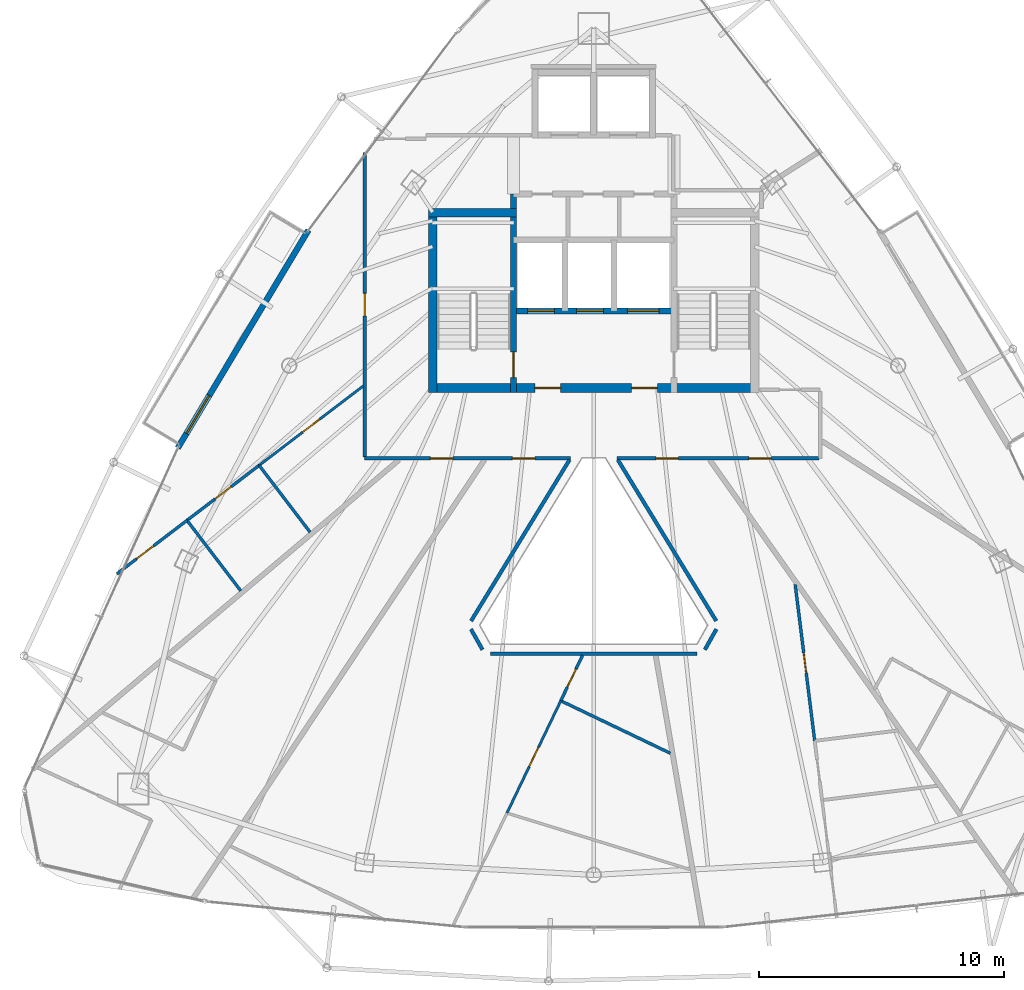
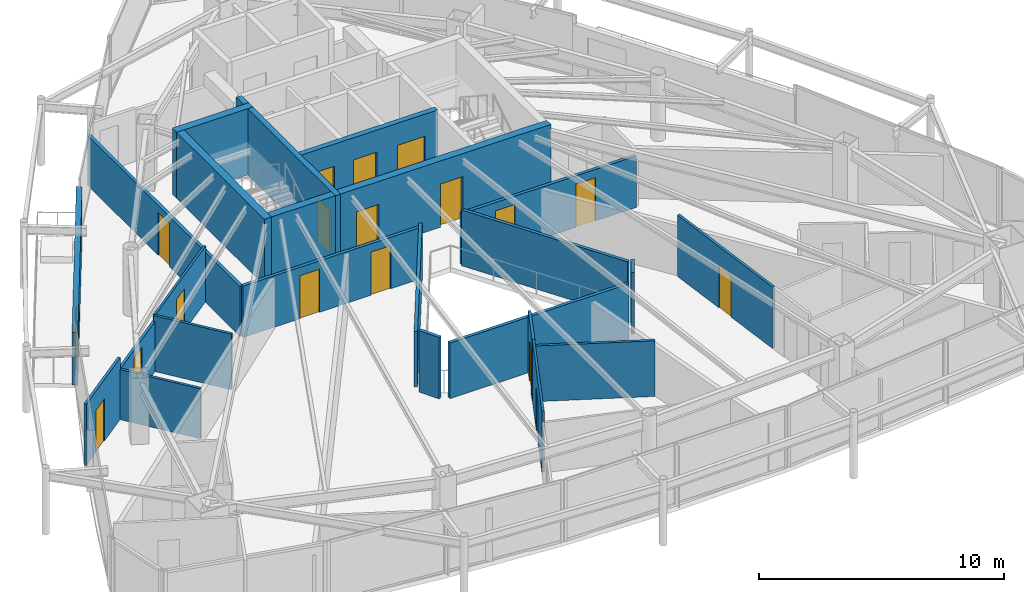
# One storey, part 28 of 33: 23 walls, 18 doors, 18 openings.
"""IFC4 building model written with IfcOpenShell, lengths in metres."""

from ifc_helpers import new_model, si_unit, direction, frame, frame_2d, origin, place, context, subcontext, project, spatial, rectangle, extrude, material, layer, layer_set, type_object, element, fill, save


model = new_model("IFC4")

# Units and contexts
model_context = context("Model", 3, precision=1e-05, world=origin(), true_north=direction((0.0, 1.0)))
body_context = subcontext(model_context, "Body", "Model", "MODEL_VIEW")
ifc_project = project(units=[si_unit("LENGTHUNIT", "METRE"), si_unit("AREAUNIT", "SQUARE_METRE"), si_unit("VOLUMEUNIT", "CUBIC_METRE"), si_unit("PLANEANGLEUNIT", "RADIAN"), si_unit("MASSUNIT", "GRAM", prefix="KILO")], contexts=[model_context])

# Site, building, storey
site_placement = place(None, origin())
site = spatial("IfcSite", under=ifc_project, at=site_placement, CompositionType="ELEMENT")
building_placement = place(site_placement, origin())
building = spatial("IfcBuilding", under=site, at=building_placement, Name="Orvanel Arch Residences", CompositionType="ELEMENT")
storey_placement = place(building_placement, frame((0.0, 0.0, 209.60009765625)))
storey = spatial("IfcBuildingStorey", under=building, at=storey_placement, Name="L59", CompositionType="ELEMENT", Elevation=209.60009765625)

# Wall, opening, door
ifc_material_1 = material(Name="Precast concrete N50 (50 MPa)", Category="concrete")
ifc_layer_1 = layer(ifc_material_1, 0.239990234375)
ifc_layer_set_1 = layer_set([ifc_layer_1], Name="Precast concrete N50 (50 MPa)")
wall_type_1 = type_object("IfcWallType", Name="EW-BAL-240", PredefinedType="SOLIDWALL", material=ifc_layer_set_1)
wall_1_placement = place(storey_placement, frame((21.35302734375, 33.1689453125, 0.0), z_axis=(0.0, 0.0, 1.0), x_axis=(-0.514391899557, -0.857555230682, 0.0)))
wall_1 = element("IfcWall", 1, at=wall_1_placement, inside=storey, type_object=wall_type_1, Name="L59 Balcony Threshold Wall Face 1", PredefinedType="SOLIDWALL", context=body_context, shape_type="SweptSolid", body=[
    extrude(rectangle(XDim=10.371337890625, YDim=0.239990234375, at=frame_2d((5.185546875, 0.0))), origin(), (0.0, 0.0, 1.0), 2.6240234375),
])
opening_1_placement = place(wall_1_placement, frame((7.8740234375, 0.0, 0.0)))
opening_1 = element("IfcOpeningElement", 2, at=opening_1_placement, cuts=wall_1, Name="Opening DB-180", PredefinedType="OPENING", context=body_context, shape_type="SweptSolid", body=[
    extrude(rectangle(XDim=1.800048828125, YDim=2.199951171875, at=frame_2d((0.89990234375, 1.10009765625))), frame((0.0, 0.1298828125, 0.0), z_axis=(0.0, -1.0, 0.0), x_axis=(1.0, 0.0, 0.0)), (0.0, 0.0, 1.0), 0.260009765625),
])
ifc_material_2 = material(Name="Bronze-anodised aluminium AA6063-T6", Category="aluminium")
door_type_1 = type_object("IfcDoorType", Name="DR-BAL-1800", OperationType="NOTDEFINED", PredefinedType="DOOR", material=ifc_material_2)
door_1_placement = place(opening_1_placement, origin())
door_1 = element("IfcDoor", 3, at=door_1_placement, inside=storey, type_object=door_type_1, Name="DR-L59-BAL-F1 L59 Planted Balcony Access Door Face 1", OperationType="SINGLE_SWING_RIGHT", OverallHeight=2.199951171875, OverallWidth=1.800048828125, PredefinedType="DOOR", context=body_context, shape_type="SweptSolid", body=[
    extrude(rectangle(XDim=1.800048828125, YDim=2.199951171875, at=frame_2d((0.89990234375, 1.10009765625))), frame((0.0, 0.02490234375, 0.0), z_axis=(0.0, -1.0, 0.0), x_axis=(1.0, 0.0, 0.0)), (0.0, 0.0, 1.0), 0.050048828125),
])
fill(opening_1, door_1)

ifc_material_3 = material(Name="Concrete N50 (50 MPa)", Category="concrete")
ifc_layer_2 = layer(ifc_material_3, 0.25)
ifc_layer_set_2 = layer_set([ifc_layer_2], Name="Concrete N50 (50 MPa)")
wall_type_2 = type_object("IfcWallType", Name="SW-CORE-250", PredefinedType="SHEAR", material=ifc_layer_set_2)
wall_2_placement = place(storey_placement, frame((29.72509765625, 26.550048828125, 0.0), z_axis=(0.0, 0.0, 1.0), x_axis=(0.0, 1.0, 0.0)))
wall_2 = element("IfcWall", 4, at=wall_2_placement, inside=storey, type_object=wall_type_2, Name="L59 West Inner Core Spine Shear Wall", PredefinedType="SHEAR", context=body_context, shape_type="SweptSolid", body=[
    extrude(rectangle(XDim=8.099853515625, YDim=0.25, at=frame_2d((4.0498046875, 0.0))), origin(), (0.0, 0.0, 1.0), 3.2998046875),
])
opening_2_placement = place(wall_2_placement, frame((0.60009765625, 0.0, 0.0)))
opening_2 = element("IfcOpeningElement", 5, at=opening_2_placement, cuts=wall_2, Name="Opening DF-120", PredefinedType="OPENING", context=body_context, shape_type="SweptSolid", body=[
    extrude(rectangle(XDim=1.050048828125, YDim=2.14990234375, at=frame_2d((0.52490234375, 1.074951171875))), frame((0.0, 0.135009765625, 0.0), z_axis=(0.0, -1.0, 0.0), x_axis=(1.0, 0.0, 0.0)), (0.0, 0.0, 1.0), 0.27001953125),
])
ifc_material_4 = material(Name="Galvanised steel fire-resisting door assembly", Category="steel")
door_type_2 = type_object("IfcDoorType", Name="DR-FD120-1050", OperationType="NOTDEFINED", PredefinedType="DOOR", material=ifc_material_4)
door_2_placement = place(opening_2_placement, origin())
door_2 = element("IfcDoor", 6, at=door_2_placement, inside=storey, type_object=door_type_2, Name="DR-L59-ST1 L59 Stair 1 Fire Door", OperationType="SINGLE_SWING_LEFT", OverallHeight=2.14990234375, OverallWidth=1.050048828125, PredefinedType="DOOR", context=body_context, shape_type="SweptSolid", body=[
    extrude(rectangle(XDim=1.050048828125, YDim=2.14990234375, at=frame_2d((0.52490234375, 1.074951171875))), frame((0.0, 0.02490234375, 0.0), z_axis=(0.0, -1.0, 0.0), x_axis=(1.0, 0.0, 0.0)), (0.0, 0.0, 1.0), 0.050048828125),
])
fill(opening_2, door_2)

# Wall, openings, doors
wall_3_placement = place(storey_placement, frame((36.27490234375, 29.875, 0.0), z_axis=(0.0, 0.0, 1.0), x_axis=(-1.0, 0.0, 0.0)))
wall_3 = element("IfcWall", 7, at=wall_3_placement, inside=storey, type_object=wall_type_2, Name="L59 Emergency Lift Front Core Shear Wall", PredefinedType="SHEAR", context=body_context, shape_type="SweptSolid", body=[
    extrude(rectangle(XDim=6.5498046875, YDim=0.25, at=frame_2d((3.27490234375, 0.0))), origin(), (0.0, 0.0, 1.0), 3.2998046875),
])
opening_3_placement = place(wall_3_placement, frame((4.875, 0.0, 0.0)))
opening_3 = element("IfcOpeningElement", 8, at=opening_3_placement, cuts=wall_3, Name="Opening LD-110", PredefinedType="OPENING", context=body_context, shape_type="SweptSolid", body=[
    extrude(rectangle(XDim=1.10009765625, YDim=2.199951171875, at=frame_2d((0.550048828125, 1.10009765625))), frame((0.0, 0.135009765625, 0.0), z_axis=(0.0, -1.0, 0.0), x_axis=(1.0, 0.0, 0.0)), (0.0, 0.0, 1.0), 0.27001953125),
])
opening_4_placement = place(wall_3_placement, frame((2.875, 0.0, 0.0)))
opening_4 = element("IfcOpeningElement", 9, at=opening_4_placement, cuts=wall_3, Name="Opening LD-110", PredefinedType="OPENING", context=body_context, shape_type="SweptSolid", body=[
    extrude(rectangle(XDim=1.10009765625, YDim=2.199951171875, at=frame_2d((0.550048828125, 1.10009765625))), frame((0.0, 0.135009765625, 0.0), z_axis=(0.0, -1.0, 0.0), x_axis=(1.0, 0.0, 0.0)), (0.0, 0.0, 1.0), 0.27001953125),
])
opening_5_placement = place(wall_3_placement, frame((0.60009765625, 0.0, 0.0)))
opening_5 = element("IfcOpeningElement", 10, at=opening_5_placement, cuts=wall_3, Name="Opening LD-130", PredefinedType="OPENING", context=body_context, shape_type="SweptSolid", body=[
    extrude(rectangle(XDim=1.300048828125, YDim=2.199951171875, at=frame_2d((0.64990234375, 1.10009765625))), frame((0.0, 0.135009765625, 0.0), z_axis=(0.0, -1.0, 0.0), x_axis=(1.0, 0.0, 0.0)), (0.0, 0.0, 1.0), 0.27001953125),
])
door_type_3 = type_object("IfcDoorType", Name="DR-LFT-1100", OperationType="NOTDEFINED", PredefinedType="DOOR", material=ifc_material_4)
door_3_placement = place(opening_3_placement, origin())
door_3 = element("IfcDoor", 11, at=door_3_placement, inside=storey, type_object=door_type_3, Name="LD-F1-L59 L59 Lift F1 Sliding Landing Door", OperationType="DOUBLE_DOOR_SLIDING", OverallHeight=2.199951171875, OverallWidth=1.10009765625, PredefinedType="DOOR", context=body_context, shape_type="SweptSolid", body=[
    extrude(rectangle(XDim=1.10009765625, YDim=2.199951171875, at=frame_2d((0.550048828125, 1.10009765625))), frame((0.0, 0.02490234375, 0.0), z_axis=(0.0, -1.0, 0.0), x_axis=(1.0, 0.0, 0.0)), (0.0, 0.0, 1.0), 0.050048828125),
])
fill(opening_3, door_3)
door_4_placement = place(opening_4_placement, origin())
door_4 = element("IfcDoor", 12, at=door_4_placement, inside=storey, type_object=door_type_3, Name="LD-F2-L59 L59 Lift F2 Sliding Landing Door", OperationType="DOUBLE_DOOR_SLIDING", OverallHeight=2.199951171875, OverallWidth=1.10009765625, PredefinedType="DOOR", context=body_context, shape_type="SweptSolid", body=[
    extrude(rectangle(XDim=1.10009765625, YDim=2.199951171875, at=frame_2d((0.550048828125, 1.10009765625))), frame((0.0, 0.02490234375, 0.0), z_axis=(0.0, -1.0, 0.0), x_axis=(1.0, 0.0, 0.0)), (0.0, 0.0, 1.0), 0.050048828125),
])
fill(opening_4, door_4)
door_type_4 = type_object("IfcDoorType", Name="DR-LFT-1300", OperationType="NOTDEFINED", PredefinedType="DOOR", material=ifc_material_4)
door_5_placement = place(opening_5_placement, origin())
door_5 = element("IfcDoor", 13, at=door_5_placement, inside=storey, type_object=door_type_4, Name="LD-G1-L59 L59 Lift G1 Sliding Landing Door", OperationType="DOUBLE_DOOR_SLIDING", OverallHeight=2.199951171875, OverallWidth=1.300048828125, PredefinedType="DOOR", context=body_context, shape_type="SweptSolid", body=[
    extrude(rectangle(XDim=1.300048828125, YDim=2.199951171875, at=frame_2d((0.64990234375, 1.10009765625))), frame((0.0, 0.02490234375, 0.0), z_axis=(0.0, -1.0, 0.0), x_axis=(1.0, 0.0, 0.0)), (0.0, 0.0, 1.0), 0.050048828125),
])
fill(opening_5, door_5)

ifc_layer_3 = layer(ifc_material_3, 0.35009765625)
ifc_layer_set_3 = layer_set([ifc_layer_3], Name="Concrete N50 (50 MPa)")
wall_type_3 = type_object("IfcWallType", Name="SW-CORE-350", PredefinedType="SHEAR", material=ifc_layer_set_3)
wall_4_placement = place(storey_placement, frame((26.25, 26.72509765625, 0.0), z_axis=(0.0, 0.0, 1.0), x_axis=(1.0, 0.0, 0.0)))
wall_4 = element("IfcWall", 14, at=wall_4_placement, inside=storey, type_object=wall_type_3, Name="L59 South Core Shear Wall", PredefinedType="SHEAR", context=body_context, shape_type="SweptSolid", body=[
    extrude(rectangle(XDim=13.5, YDim=0.35009765625, at=frame_2d((6.75, 0.0))), origin(), (0.0, 0.0, 1.0), 3.2998046875),
])
opening_6_placement = place(wall_4_placement, frame((4.35009765625, 0.0, 0.0)))
opening_6 = element("IfcOpeningElement", 15, at=opening_6_placement, cuts=wall_4, Name="Opening DF-060", PredefinedType="OPENING", context=body_context, shape_type="SweptSolid", body=[
    extrude(rectangle(XDim=1.050048828125, YDim=2.14990234375, at=frame_2d((0.52490234375, 1.074951171875))), frame((0.0, 0.18505859375, 0.0), z_axis=(0.0, -1.0, 0.0), x_axis=(1.0, 0.0, 0.0)), (0.0, 0.0, 1.0), 0.3701171875),
])
opening_7_placement = place(wall_4_placement, frame((8.300048828125, 0.0, 0.0)))
opening_7 = element("IfcOpeningElement", 16, at=opening_7_placement, cuts=wall_4, Name="Opening DF-060", PredefinedType="OPENING", context=body_context, shape_type="SweptSolid", body=[
    extrude(rectangle(XDim=1.050048828125, YDim=2.14990234375, at=frame_2d((0.52490234375, 1.074951171875))), frame((0.0, 0.18505859375, 0.0), z_axis=(0.0, -1.0, 0.0), x_axis=(1.0, 0.0, 0.0)), (0.0, 0.0, 1.0), 0.3701171875),
])
door_type_5 = type_object("IfcDoorType", Name="DR-FD60-1050", OperationType="NOTDEFINED", PredefinedType="DOOR", material=ifc_material_4)
door_6_placement = place(opening_6_placement, origin())
door_6 = element("IfcDoor", 17, at=door_6_placement, inside=storey, type_object=door_type_5, Name="DR-L59-FFL-W L59 West Smoke Lobby Door", OperationType="SINGLE_SWING_LEFT", OverallHeight=2.14990234375, OverallWidth=1.050048828125, PredefinedType="DOOR", context=body_context, shape_type="SweptSolid", body=[
    extrude(rectangle(XDim=1.050048828125, YDim=2.14990234375, at=frame_2d((0.52490234375, 1.074951171875))), frame((0.0, 0.02490234375, 0.0), z_axis=(0.0, -1.0, 0.0), x_axis=(1.0, 0.0, 0.0)), (0.0, 0.0, 1.0), 0.050048828125),
])
fill(opening_6, door_6)
door_7_placement = place(opening_7_placement, origin())
door_7 = element("IfcDoor", 18, at=door_7_placement, inside=storey, type_object=door_type_5, Name="DR-L59-FFL-E L59 East Smoke Lobby Door", OperationType="SINGLE_SWING_RIGHT", OverallHeight=2.14990234375, OverallWidth=1.050048828125, PredefinedType="DOOR", context=body_context, shape_type="SweptSolid", body=[
    extrude(rectangle(XDim=1.050048828125, YDim=2.14990234375, at=frame_2d((0.52490234375, 1.074951171875))), frame((0.0, 0.02490234375, 0.0), z_axis=(0.0, -1.0, 0.0), x_axis=(1.0, 0.0, 0.0)), (0.0, 0.0, 1.0), 0.050048828125),
])
fill(opening_7, door_7)

# Walls
wall_5_placement = place(storey_placement, frame((26.425048828125, 26.550048828125, 0.0), z_axis=(0.0, 0.0, 1.0), x_axis=(0.0, 1.0, 0.0)))
element("IfcWall", 19, at=wall_5_placement, inside=storey, type_object=wall_type_3, Name="L59 West Stair Shear Wall", PredefinedType="SHEAR", context=body_context, shape_type="SweptSolid", body=[
    extrude(rectangle(XDim=7.5, YDim=0.35009765625, at=frame_2d((3.75, 0.0))), origin(), (0.0, 0.0, 1.0), 3.2998046875),
])
wall_6_placement = place(storey_placement, frame((26.25, 33.875, 0.0), z_axis=(0.0, 0.0, 1.0), x_axis=(1.0, 0.0, 0.0)))
element("IfcWall", 20, at=wall_6_placement, inside=storey, type_object=wall_type_3, Name="L59 West Stair North Shear Wall", PredefinedType="SHEAR", context=body_context, shape_type="SweptSolid", body=[
    extrude(rectangle(XDim=3.60009765625, YDim=0.35009765625, at=frame_2d((1.800048828125, 0.0))), origin(), (0.0, 0.0, 1.0), 3.2998046875),
])

# Wall, openings, doors
ifc_material_5 = material(Name="Fire-rated plasterboard lined steel stud partition", Category="steel")
ifc_layer_4 = layer(ifc_material_5, 0.14990234375)
ifc_layer_set_4 = layer_set([ifc_layer_4], Name="Fire-rated plasterboard lined steel stud partition")
wall_type_4 = type_object("IfcWallType", Name="W-COR-150", PredefinedType="PARTITIONING", material=ifc_layer_set_4)
wall_7_placement = place(storey_placement, frame((32.050048828125, 23.85009765625, 0.0), z_axis=(0.0, 0.0, 1.0), x_axis=(-1.0, 0.0, 0.0)))
wall_7 = element("IfcWall", 21, at=wall_7_placement, inside=storey, type_object=wall_type_4, Name="L59 Corridor Fire-Rated Partition", PredefinedType="PARTITIONING", context=body_context, shape_type="SweptSolid", body=[
    extrude(rectangle(XDim=8.400146484375, YDim=0.14990234375, at=frame_2d((4.2001953125, 0.0))), origin(), (0.0, 0.0, 1.0), 2.56494140625),
])
opening_8_placement = place(wall_7_placement, frame((1.446044921875, 0.0, 0.0)))
opening_8 = element("IfcOpeningElement", 22, at=opening_8_placement, cuts=wall_7, Name="Opening DA-092", PredefinedType="OPENING", context=body_context, shape_type="SweptSolid", body=[
    extrude(rectangle(XDim=0.919921875, YDim=2.14990234375, at=frame_2d((0.4599609375, 1.074951171875))), frame((0.0, 0.0849609375, 0.0), z_axis=(0.0, -1.0, 0.0), x_axis=(1.0, 0.0, 0.0)), (0.0, 0.0, 1.0), 0.169921875),
])
opening_9_placement = place(wall_7_placement, frame((4.798095703125, 0.0, 0.0)))
opening_9 = element("IfcOpeningElement", 23, at=opening_9_placement, cuts=wall_7, Name="Opening DA-092", PredefinedType="OPENING", context=body_context, shape_type="SweptSolid", body=[
    extrude(rectangle(XDim=0.919921875, YDim=2.14990234375, at=frame_2d((0.4599609375, 1.074951171875))), frame((0.0, 0.0849609375, 0.0), z_axis=(0.0, -1.0, 0.0), x_axis=(1.0, 0.0, 0.0)), (0.0, 0.0, 1.0), 0.169921875),
])
ifc_material_6 = material(Name="Solid-core European oak veneer fire door leaf", Category="wood")
door_type_6 = type_object("IfcDoorType", Name="DR-APT-920", OperationType="NOTDEFINED", PredefinedType="DOOR", material=ifc_material_6)
door_8_placement = place(opening_8_placement, origin())
door_8 = element("IfcDoor", 24, at=door_8_placement, inside=storey, type_object=door_type_6, Name="DR-L59-A-ENT L59 Flat A Entrance Door", OperationType="SINGLE_SWING_RIGHT", OverallHeight=2.14990234375, OverallWidth=0.919921875, PredefinedType="DOOR", context=body_context, shape_type="SweptSolid", body=[
    extrude(rectangle(XDim=0.919921875, YDim=2.14990234375, at=frame_2d((0.4599609375, 1.074951171875))), frame((0.0, 0.02490234375, 0.0), z_axis=(0.0, -1.0, 0.0), x_axis=(1.0, 0.0, 0.0)), (0.0, 0.0, 1.0), 0.050048828125),
])
fill(opening_8, door_8)
door_9_placement = place(opening_9_placement, origin())
door_9 = element("IfcDoor", 25, at=door_9_placement, inside=storey, type_object=door_type_6, Name="DR-L59-D-ENT L59 Studio D Entrance Door", OperationType="SINGLE_SWING_LEFT", OverallHeight=2.14990234375, OverallWidth=0.919921875, PredefinedType="DOOR", context=body_context, shape_type="SweptSolid", body=[
    extrude(rectangle(XDim=0.919921875, YDim=2.14990234375, at=frame_2d((0.4599609375, 1.074951171875))), frame((0.0, 0.02490234375, 0.0), z_axis=(0.0, -1.0, 0.0), x_axis=(1.0, 0.0, 0.0)), (0.0, 0.0, 1.0), 0.050048828125),
])
fill(opening_9, door_9)

# Wall, opening, door
wall_8_placement = place(storey_placement, frame((23.64990234375, 23.909912109375, 0.0), z_axis=(0.0, 0.0, 1.0), x_axis=(0.0, 1.0, 0.0)))
wall_8 = element("IfcWall", 26, at=wall_8_placement, inside=storey, type_object=wall_type_4, Name="L59 Corridor Fire-Rated Partition", PredefinedType="PARTITIONING", context=body_context, shape_type="SweptSolid", body=[
    extrude(rectangle(XDim=12.439208984375, YDim=0.14990234375, at=frame_2d((6.2197265625, 0.0))), origin(), (0.0, 0.0, 1.0), 2.491943359375),
])
opening_10_placement = place(wall_8_placement, frame((5.759033203125, 0.0, 0.0)))
opening_10 = element("IfcOpeningElement", 27, at=opening_10_placement, cuts=wall_8, Name="Opening DA-092", PredefinedType="OPENING", context=body_context, shape_type="SweptSolid", body=[
    extrude(rectangle(XDim=0.919921875, YDim=2.14990234375, at=frame_2d((0.4599609375, 1.074951171875))), frame((0.0, 0.0849609375, 0.0), z_axis=(0.0, -1.0, 0.0), x_axis=(1.0, 0.0, 0.0)), (0.0, 0.0, 1.0), 0.169921875),
])
door_10_placement = place(opening_10_placement, origin())
door_10 = element("IfcDoor", 28, at=door_10_placement, inside=storey, type_object=door_type_6, Name="DR-L59-E-ENT L59 Studio E Entrance Door", OperationType="SINGLE_SWING_RIGHT", OverallHeight=2.14990234375, OverallWidth=0.919921875, PredefinedType="DOOR", context=body_context, shape_type="SweptSolid", body=[
    extrude(rectangle(XDim=0.919921875, YDim=2.14990234375, at=frame_2d((0.4599609375, 1.074951171875))), frame((0.0, 0.02490234375, 0.0), z_axis=(0.0, -1.0, 0.0), x_axis=(1.0, 0.0, 0.0)), (0.0, 0.0, 1.0), 0.050048828125),
])
fill(opening_10, door_10)

# Wall, openings, doors
wall_9_placement = place(storey_placement, frame((42.18994140625, 23.85009765625, 0.0), z_axis=(0.0, 0.0, 1.0), x_axis=(-1.0, 0.0, 0.0)))
wall_9 = element("IfcWall", 29, at=wall_9_placement, inside=storey, type_object=wall_type_4, Name="L59 Corridor Fire-Rated Partition", PredefinedType="PARTITIONING", context=body_context, shape_type="SweptSolid", body=[
    extrude(rectangle(XDim=8.239990234375, YDim=0.14990234375, at=frame_2d((4.1201171875, 0.0))), origin(), (0.0, 0.0, 1.0), 2.56494140625),
])
opening_11_placement = place(wall_9_placement, frame((1.93701171875, 0.0, 0.0)))
opening_11 = element("IfcOpeningElement", 30, at=opening_11_placement, cuts=wall_9, Name="Opening DA-092", PredefinedType="OPENING", context=body_context, shape_type="SweptSolid", body=[
    extrude(rectangle(XDim=0.919921875, YDim=2.14990234375, at=frame_2d((0.4599609375, 1.074951171875))), frame((0.0, 0.0849609375, 0.0), z_axis=(0.0, -1.0, 0.0), x_axis=(1.0, 0.0, 0.0)), (0.0, 0.0, 1.0), 0.169921875),
])
opening_12_placement = place(wall_9_placement, frame((5.73291015625, 0.0, 0.0)))
opening_12 = element("IfcOpeningElement", 31, at=opening_12_placement, cuts=wall_9, Name="Opening DA-092", PredefinedType="OPENING", context=body_context, shape_type="SweptSolid", body=[
    extrude(rectangle(XDim=0.919921875, YDim=2.14990234375, at=frame_2d((0.4599609375, 1.074951171875))), frame((0.0, 0.0849609375, 0.0), z_axis=(0.0, -1.0, 0.0), x_axis=(1.0, 0.0, 0.0)), (0.0, 0.0, 1.0), 0.169921875),
])
door_11_placement = place(opening_11_placement, origin())
door_11 = element("IfcDoor", 32, at=door_11_placement, inside=storey, type_object=door_type_6, Name="DR-L59-B-ENT L59 Studio B Entrance Door", OperationType="SINGLE_SWING_LEFT", OverallHeight=2.14990234375, OverallWidth=0.919921875, PredefinedType="DOOR", context=body_context, shape_type="SweptSolid", body=[
    extrude(rectangle(XDim=0.919921875, YDim=2.14990234375, at=frame_2d((0.4599609375, 1.074951171875))), frame((0.0, 0.02490234375, 0.0), z_axis=(0.0, -1.0, 0.0), x_axis=(1.0, 0.0, 0.0)), (0.0, 0.0, 1.0), 0.050048828125),
])
fill(opening_11, door_11)
door_12_placement = place(opening_12_placement, origin())
door_12 = element("IfcDoor", 33, at=door_12_placement, inside=storey, type_object=door_type_6, Name="DR-L59-C-ENT L59 Flat C Entrance Door", OperationType="SINGLE_SWING_RIGHT", OverallHeight=2.14990234375, OverallWidth=0.919921875, PredefinedType="DOOR", context=body_context, shape_type="SweptSolid", body=[
    extrude(rectangle(XDim=0.919921875, YDim=2.14990234375, at=frame_2d((0.4599609375, 1.074951171875))), frame((0.0, 0.02490234375, 0.0), z_axis=(0.0, -1.0, 0.0), x_axis=(1.0, 0.0, 0.0)), (0.0, 0.0, 1.0), 0.050048828125),
])
fill(opening_12, door_12)

# Walls
wall_10_placement = place(storey_placement, frame((33.987060546875, 23.7900390625, 0.0), z_axis=(0.0, 0.0, 1.0), x_axis=(0.521338496894, -0.853349970209, 0.0)))
element("IfcWall", 34, at=wall_10_placement, inside=storey, type_object=wall_type_4, Name="L59 Atrium Overlook Glazed Partition", PredefinedType="PARTITIONING", context=body_context, shape_type="SweptSolid", body=[
    extrude(rectangle(XDim=7.704833984375, YDim=0.14990234375, at=frame_2d((3.8525390625, 0.0))), origin(), (0.0, 0.0, 1.0), 2.77294921875),
])
wall_11_placement = place(storey_placement, frame((38.010009765625, 16.87890625, 0.0), z_axis=(0.0, 0.0, 1.0), x_axis=(-0.488859069364, -0.872362774481, 0.0)))
element("IfcWall", 35, at=wall_11_placement, inside=storey, type_object=wall_type_4, Name="L59 Atrium Overlook Glazed Partition", PredefinedType="PARTITIONING", context=body_context, shape_type="SweptSolid", body=[
    extrude(rectangle(XDim=0.95947265625, YDim=0.14990234375, at=frame_2d((0.479736328125, 0.0))), origin(), (0.0, 0.0, 1.0), 3.059814453125),
])
wall_12_placement = place(storey_placement, frame((37.212890625, 15.8701171875, 0.0), z_axis=(0.0, 0.0, 1.0), x_axis=(-1.0, 0.0, 0.0)))
element("IfcWall", 36, at=wall_12_placement, inside=storey, type_object=wall_type_4, Name="L59 Atrium Overlook Glazed Partition", PredefinedType="PARTITIONING", context=body_context, shape_type="SweptSolid", body=[
    extrude(rectangle(XDim=8.42578125, YDim=0.14990234375, at=frame_2d((4.212890625, 0.0))), origin(), (0.0, 0.0, 1.0), 2.77294921875),
])
wall_13_placement = place(storey_placement, frame((28.458984375, 16.0419921875, 0.0), z_axis=(0.0, 0.0, 1.0), x_axis=(-0.488859069364, 0.872362774481, 0.0)))
element("IfcWall", 37, at=wall_13_placement, inside=storey, type_object=wall_type_4, Name="L59 Atrium Overlook Glazed Partition", PredefinedType="PARTITIONING", context=body_context, shape_type="SweptSolid", body=[
    extrude(rectangle(XDim=0.95947265625, YDim=0.14990234375, at=frame_2d((0.479736328125, 0.0))), origin(), (0.0, 0.0, 1.0), 3.059814453125),
])
wall_14_placement = place(storey_placement, frame((27.99609375, 17.215087890625, 0.0), z_axis=(0.0, 0.0, 1.0), x_axis=(0.521338496894, 0.853349970209, 0.0)))
element("IfcWall", 38, at=wall_14_placement, inside=storey, type_object=wall_type_4, Name="L59 Atrium Overlook Glazed Partition", PredefinedType="PARTITIONING", context=body_context, shape_type="SweptSolid", body=[
    extrude(rectangle(XDim=7.704833984375, YDim=0.14990234375, at=frame_2d((3.8525390625, 0.0))), origin(), (0.0, 0.0, 1.0), 2.77294921875),
])

# Wall, opening, door
ifc_material_7 = material(Name="Acoustic plasterboard lined twin-stud partition", Category="gypsum")
ifc_layer_5 = layer(ifc_material_7, 0.10009765625)
ifc_layer_set_5 = layer_set([ifc_layer_5], Name="Acoustic plasterboard lined twin-stud partition")
wall_type_5 = type_object("IfcWallType", Name="W-INT-100", PredefinedType="PARTITIONING", material=ifc_layer_set_5)
wall_15_placement = place(storey_placement, frame((31.656982421875, 13.955078125, 0.0), z_axis=(0.0, 0.0, 1.0), x_axis=(-0.4322861352, -0.901736489954, 0.0)))
wall_15 = element("IfcWall", 39, at=wall_15_placement, inside=storey, type_object=wall_type_5, Name="L59 Flat A Internal Partition", PredefinedType="PARTITIONING", context=body_context, shape_type="SweptSolid", body=[
    extrude(rectangle(XDim=5.08447265625, YDim=0.10009765625, at=frame_2d((2.542236328125, 0.0))), origin(), (0.0, 0.0, 1.0), 3.059814453125),
])
opening_13_placement = place(wall_15_placement, frame((2.10205078125, 0.0, 0.0)))
opening_13 = element("IfcOpeningElement", 40, at=opening_13_placement, cuts=wall_15, Name="Opening DI-088", PredefinedType="OPENING", context=body_context, shape_type="SweptSolid", body=[
    extrude(rectangle(XDim=0.8798828125, YDim=2.10009765625, at=frame_2d((0.43994140625, 1.050048828125))), frame((0.0, 0.06005859375, 0.0), z_axis=(0.0, -1.0, 0.0), x_axis=(1.0, 0.0, 0.0)), (0.0, 0.0, 1.0), 0.1201171875),
])
door_type_7 = type_object("IfcDoorType", Name="DR-INT-880", OperationType="NOTDEFINED", PredefinedType="DOOR", material=ifc_material_6)
door_13_placement = place(opening_13_placement, origin())
door_13 = element("IfcDoor", 41, at=door_13_placement, inside=storey, type_object=door_type_7, Name="DR-L59-A-WRD2 L59 Flat A Walk-In Wardrobe 1 Door", OperationType="SINGLE_SWING_LEFT", OverallHeight=2.10009765625, OverallWidth=0.8798828125, PredefinedType="DOOR", context=body_context, shape_type="SweptSolid", body=[
    extrude(rectangle(XDim=0.8798828125, YDim=2.10009765625, at=frame_2d((0.43994140625, 1.050048828125))), frame((0.0, 0.02490234375, 0.0), z_axis=(0.0, -1.0, 0.0), x_axis=(1.0, 0.0, 0.0)), (0.0, 0.0, 1.0), 0.050048828125),
])
fill(opening_13, door_13)

wall_16_placement = place(storey_placement, frame((23.590087890625, 26.804931640625, 0.0), z_axis=(0.0, 0.0, 1.0), x_axis=(-0.795214502583, -0.606328207228, 0.0)))
wall_16 = element("IfcWall", 42, at=wall_16_placement, inside=storey, type_object=wall_type_5, Name="L59 Studio E Internal Partition", PredefinedType="PARTITIONING", context=body_context, shape_type="SweptSolid", body=[
    extrude(rectangle(XDim=5.342041015625, YDim=0.10009765625, at=frame_2d((2.6708984375, 0.0))), origin(), (0.0, 0.0, 1.0), 2.77294921875),
])
opening_14_placement = place(wall_16_placement, frame((2.23095703125, 0.0, 0.0)))
opening_14 = element("IfcOpeningElement", 43, at=opening_14_placement, cuts=wall_16, Name="Opening DI-088", PredefinedType="OPENING", context=body_context, shape_type="SweptSolid", body=[
    extrude(rectangle(XDim=0.8798828125, YDim=2.10009765625, at=frame_2d((0.43994140625, 1.050048828125))), frame((0.0, 0.06005859375, 0.0), z_axis=(0.0, -1.0, 0.0), x_axis=(1.0, 0.0, 0.0)), (0.0, 0.0, 1.0), 0.1201171875),
])
door_14_placement = place(opening_14_placement, origin())
door_14 = element("IfcDoor", 44, at=door_14_placement, inside=storey, type_object=door_type_7, Name="DR-L59-E-DIN1 L59 Studio E Dining Room 1 Door", OperationType="SINGLE_SWING_LEFT", OverallHeight=2.10009765625, OverallWidth=0.8798828125, PredefinedType="DOOR", context=body_context, shape_type="SweptSolid", body=[
    extrude(rectangle(XDim=0.8798828125, YDim=2.10009765625, at=frame_2d((0.43994140625, 1.050048828125))), frame((0.0, 0.02490234375, 0.0), z_axis=(0.0, -1.0, 0.0), x_axis=(1.0, 0.0, 0.0)), (0.0, 0.0, 1.0), 0.050048828125),
])
fill(opening_14, door_14)

ifc_layer_6 = layer(ifc_material_7, 0.1201171875)
ifc_layer_set_6 = layer_set([ifc_layer_6], Name="Acoustic plasterboard lined twin-stud partition")
wall_type_6 = type_object("IfcWallType", Name="W-WET-120", PredefinedType="PARTITIONING", material=ifc_layer_set_6)
wall_17_placement = place(storey_placement, frame((32.5458984375, 15.81005859375, 0.0), z_axis=(0.0, 0.0, 1.0), x_axis=(-0.43214833388, -0.90180253799, 0.0)))
wall_17 = element("IfcWall", 45, at=wall_17_placement, inside=storey, type_object=wall_type_6, Name="L59 Flat A Bathroom Partition", PredefinedType="PARTITIONING", context=body_context, shape_type="SweptSolid", body=[
    extrude(rectangle(XDim=2.056884765625, YDim=0.1201171875, at=frame_2d((1.0283203125, 0.0))), origin(), (0.0, 0.0, 1.0), 3.059814453125),
])
opening_15_placement = place(wall_17_placement, frame((0.618896484375, 0.0, 0.0)))
opening_15 = element("IfcOpeningElement", 46, at=opening_15_placement, cuts=wall_17, Name="Opening DW-082", PredefinedType="OPENING", context=body_context, shape_type="SweptSolid", body=[
    extrude(rectangle(XDim=0.820068359375, YDim=2.10009765625, at=frame_2d((0.41015625, 1.050048828125))), frame((0.0, 0.070068359375, 0.0), z_axis=(0.0, -1.0, 0.0), x_axis=(1.0, 0.0, 0.0)), (0.0, 0.0, 1.0), 0.14013671875),
])
door_type_8 = type_object("IfcDoorType", Name="DR-WET-820", OperationType="NOTDEFINED", PredefinedType="DOOR", material=ifc_material_6)
door_15_placement = place(opening_15_placement, origin())
door_15 = element("IfcDoor", 47, at=door_15_placement, inside=storey, type_object=door_type_8, Name="DR-L59-A-BATH L59 Flat A Bathroom Door", OperationType="SINGLE_SWING_RIGHT", OverallHeight=2.10009765625, OverallWidth=0.820068359375, PredefinedType="DOOR", context=body_context, shape_type="SweptSolid", body=[
    extrude(rectangle(XDim=0.820068359375, YDim=2.10009765625, at=frame_2d((0.41015625, 1.050048828125))), frame((0.0, 0.02490234375, 0.0), z_axis=(0.0, -1.0, 0.0), x_axis=(1.0, 0.0, 0.0)), (0.0, 0.0, 1.0), 0.050048828125),
])
fill(opening_15, door_15)

# Wall
wall_18_placement = place(storey_placement, frame((36.133056640625, 11.81005859375, 0.0), z_axis=(0.0, 0.0, 1.0), x_axis=(-0.901797658679, 0.432158515826, 0.0)))
element("IfcWall", 48, at=wall_18_placement, inside=storey, type_object=wall_type_6, Name="L59 Flat A Bathroom Partition", PredefinedType="PARTITIONING", context=body_context, shape_type="SweptSolid", body=[
    extrude(rectangle(XDim=4.963623046875, YDim=0.1201171875, at=frame_2d((2.48193359375, 0.0))), origin(), (0.0, 0.0, 1.0), 2.77294921875),
])

# Wall, opening, door
wall_19_placement = place(storey_placement, frame((41.22802734375, 18.699951171875, 0.0), z_axis=(0.0, 0.0, 1.0), x_axis=(0.123731094195, -0.992315784581, 0.0)))
wall_19 = element("IfcWall", 49, at=wall_19_placement, inside=storey, type_object=wall_type_6, Name="L59 Flat C Bathroom Partition", PredefinedType="PARTITIONING", context=body_context, shape_type="SweptSolid", body=[
    extrude(rectangle(XDim=6.432373046875, YDim=0.1201171875, at=frame_2d((3.21630859375, 0.0))), origin(), (0.0, 0.0, 1.0), 3.059814453125),
])
opening_16_placement = place(wall_19_placement, frame((2.805908203125, 0.0, 0.0)))
opening_16 = element("IfcOpeningElement", 50, at=opening_16_placement, cuts=wall_19, Name="Opening DW-082", PredefinedType="OPENING", context=body_context, shape_type="SweptSolid", body=[
    extrude(rectangle(XDim=0.820068359375, YDim=2.10009765625, at=frame_2d((0.41015625, 1.050048828125))), frame((0.0, 0.070068359375, 0.0), z_axis=(0.0, -1.0, 0.0), x_axis=(1.0, 0.0, 0.0)), (0.0, 0.0, 1.0), 0.14013671875),
])
door_16_placement = place(opening_16_placement, origin())
door_16 = element("IfcDoor", 51, at=door_16_placement, inside=storey, type_object=door_type_8, Name="DR-L59-C-BATH L59 Flat C Bathroom Door", OperationType="SINGLE_SWING_RIGHT", OverallHeight=2.10009765625, OverallWidth=0.820068359375, PredefinedType="DOOR", context=body_context, shape_type="SweptSolid", body=[
    extrude(rectangle(XDim=0.820068359375, YDim=2.10009765625, at=frame_2d((0.41015625, 1.050048828125))), frame((0.0, 0.02490234375, 0.0), z_axis=(0.0, -1.0, 0.0), x_axis=(1.0, 0.0, 0.0)), (0.0, 0.0, 1.0), 0.050048828125),
])
fill(opening_16, door_16)

wall_20_placement = place(storey_placement, frame((19.342041015625, 23.56591796875, 0.0), z_axis=(0.0, 0.0, 1.0), x_axis=(-0.795172892053, -0.606382776589, 0.0)))
wall_20 = element("IfcWall", 52, at=wall_20_placement, inside=storey, type_object=wall_type_6, Name="L59 Studio E Bathroom Partition", PredefinedType="PARTITIONING", context=body_context, shape_type="SweptSolid", body=[
    extrude(rectangle(XDim=3.70361328125, YDim=0.1201171875, at=frame_2d((1.851806640625, 0.0))), origin(), (0.0, 0.0, 1.0), 2.491943359375),
])
opening_17_placement = place(wall_20_placement, frame((1.44189453125, 0.0, 0.0)))
opening_17 = element("IfcOpeningElement", 53, at=opening_17_placement, cuts=wall_20, Name="Opening DW-082", PredefinedType="OPENING", context=body_context, shape_type="SweptSolid", body=[
    extrude(rectangle(XDim=0.820068359375, YDim=2.10009765625, at=frame_2d((0.41015625, 1.050048828125))), frame((0.0, 0.070068359375, 0.0), z_axis=(0.0, -1.0, 0.0), x_axis=(1.0, 0.0, 0.0)), (0.0, 0.0, 1.0), 0.14013671875),
])
door_17_placement = place(opening_17_placement, origin())
door_17 = element("IfcDoor", 54, at=door_17_placement, inside=storey, type_object=door_type_8, Name="DR-L59-E-BATH L59 Studio E Bathroom Door", OperationType="SINGLE_SWING_RIGHT", OverallHeight=2.10009765625, OverallWidth=0.820068359375, PredefinedType="DOOR", context=body_context, shape_type="SweptSolid", body=[
    extrude(rectangle(XDim=0.820068359375, YDim=2.10009765625, at=frame_2d((0.41015625, 1.050048828125))), frame((0.0, 0.02490234375, 0.0), z_axis=(0.0, -1.0, 0.0), x_axis=(1.0, 0.0, 0.0)), (0.0, 0.0, 1.0), 0.050048828125),
])
fill(opening_17, door_17)

wall_21_placement = place(storey_placement, frame((16.39697265625, 21.320068359375, 0.0), z_axis=(0.0, 0.0, 1.0), x_axis=(-0.795204709159, -0.606341051333, 0.0)))
wall_21 = element("IfcWall", 55, at=wall_21_placement, inside=storey, type_object=wall_type_6, Name="L59 Studio E Internal Partition", PredefinedType="PARTITIONING", context=body_context, shape_type="SweptSolid", body=[
    extrude(rectangle(XDim=3.605224609375, YDim=0.1201171875, at=frame_2d((1.802734375, 0.0))), origin(), (0.0, 0.0, 1.0), 3.059814453125),
])
opening_18_placement = place(wall_21_placement, frame((1.7099609375, 0.0, 0.0)))
opening_18 = element("IfcOpeningElement", 56, at=opening_18_placement, cuts=wall_21, Name="Opening DI-088", PredefinedType="OPENING", context=body_context, shape_type="SweptSolid", body=[
    extrude(rectangle(XDim=0.8798828125, YDim=2.10009765625, at=frame_2d((0.43994140625, 1.050048828125))), frame((0.0, 0.070068359375, 0.0), z_axis=(0.0, -1.0, 0.0), x_axis=(1.0, 0.0, 0.0)), (0.0, 0.0, 1.0), 0.14013671875),
])
door_18_placement = place(opening_18_placement, origin())
door_18 = element("IfcDoor", 57, at=door_18_placement, inside=storey, type_object=door_type_7, Name="DR-L59-E-KIT L59 Studio E Kitchenette Door", OperationType="SINGLE_SWING_LEFT", OverallHeight=2.10009765625, OverallWidth=0.8798828125, PredefinedType="DOOR", context=body_context, shape_type="SweptSolid", body=[
    extrude(rectangle(XDim=0.8798828125, YDim=2.10009765625, at=frame_2d((0.43994140625, 1.050048828125))), frame((0.0, 0.02490234375, 0.0), z_axis=(0.0, -1.0, 0.0), x_axis=(1.0, 0.0, 0.0)), (0.0, 0.0, 1.0), 0.050048828125),
])
fill(opening_18, door_18)

# Walls
wall_22_placement = place(storey_placement, frame((18.590087890625, 18.445068359375, 0.0), z_axis=(0.0, 0.0, 1.0), x_axis=(-0.606504882674, 0.795079761591, 0.0)))
element("IfcWall", 58, at=wall_22_placement, inside=storey, type_object=wall_type_6, Name="L59 Studio E Bathroom Partition", PredefinedType="PARTITIONING", context=body_context, shape_type="SweptSolid", body=[
    extrude(rectangle(XDim=3.615966796875, YDim=0.1201171875, at=frame_2d((1.80810546875, 0.0))), origin(), (0.0, 0.0, 1.0), 2.491943359375),
])
wall_23_placement = place(storey_placement, frame((19.342041015625, 23.56591796875, 0.0), z_axis=(0.0, 0.0, 1.0), x_axis=(0.60619754922, -0.795314108589, 0.0)))
element("IfcWall", 59, at=wall_23_placement, inside=storey, type_object=wall_type_6, Name="L59 Studio E Bathroom Partition", PredefinedType="PARTITIONING", context=body_context, shape_type="SweptSolid", body=[
    extrude(rectangle(XDim=3.431396484375, YDim=0.1201171875, at=frame_2d((1.7158203125, 0.0))), origin(), (0.0, 0.0, 1.0), 2.77294921875),
])

save(model, "model.ifc")
